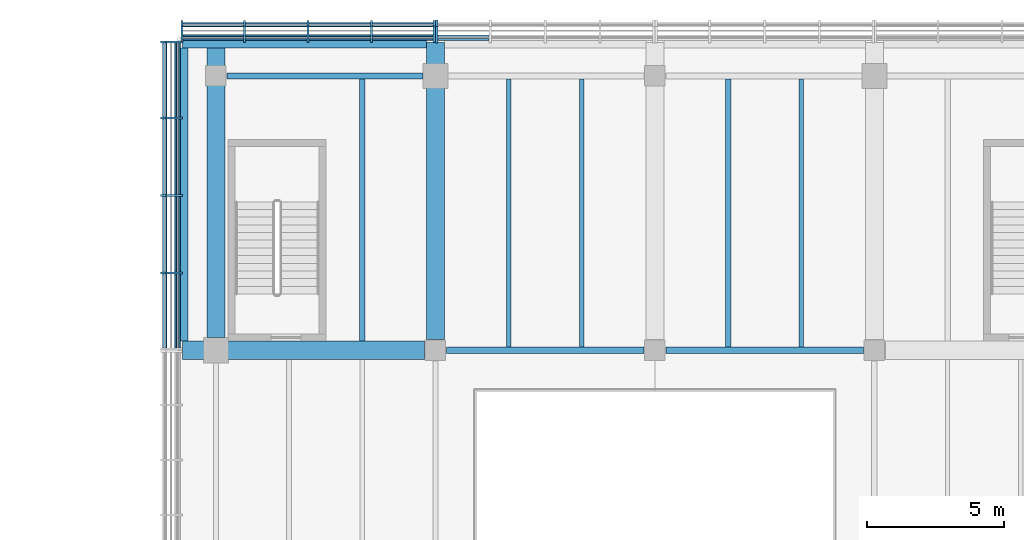
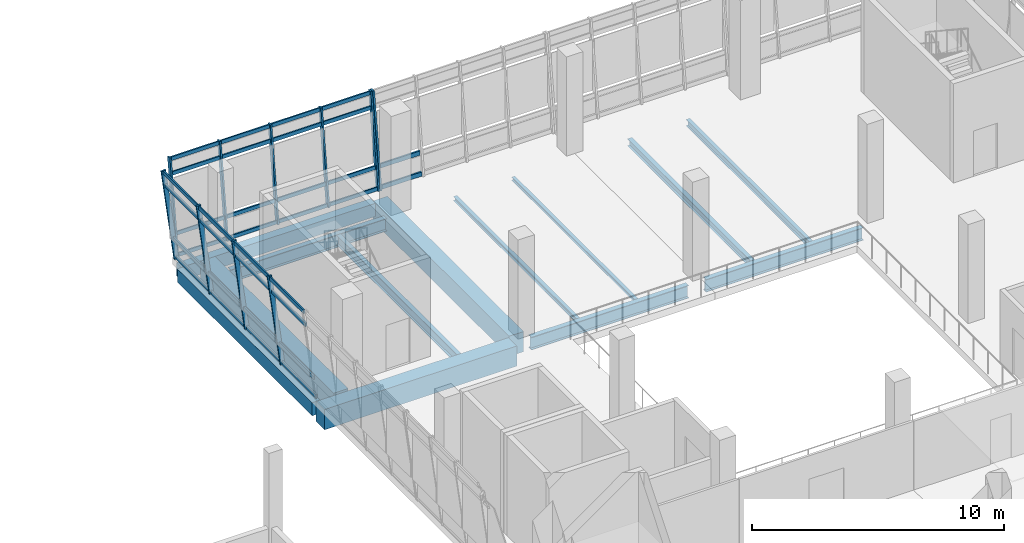
# One storey, part 14 of 52: 44 members, 13 beams, 3 elements without a shape of their own.
"""IFC4 building model written with IfcOpenShell, lengths in metres."""

from ifc_helpers import new_model, si_unit, direction, frame, origin, origin_2d, place, context, subcontext, project, spatial, rectangle, i_section, extrude, material, material_profile, profile_set, type_object, element, aggregate, save


model = new_model("IFC4")

# Units and contexts
model_context = context("Model", 3, precision=1e-05, world=origin(), true_north=direction((0.0, 1.0)))
body_context = subcontext(model_context, "Body", "Model", "MODEL_VIEW")
ifc_project = project(units=[si_unit("LENGTHUNIT", "METRE"), si_unit("AREAUNIT", "SQUARE_METRE"), si_unit("VOLUMEUNIT", "CUBIC_METRE"), si_unit("PLANEANGLEUNIT", "RADIAN"), si_unit("MASSUNIT", "GRAM", prefix="KILO")], contexts=[model_context])

# Site, building, storey
site_placement = place(None, origin())
site = spatial("IfcSite", under=ifc_project, at=site_placement, CompositionType="ELEMENT")
building_placement = place(site_placement, origin())
building = spatial("IfcBuilding", under=site, at=building_placement, Name="Pecanmere Concourse Central Library", CompositionType="ELEMENT")
storey_placement = place(building_placement, frame((0.0, 0.0, 10.5)))
storey = spatial("IfcBuildingStorey", under=building, at=storey_placement, Name="L03", CompositionType="ELEMENT", Elevation=10.5)

# Curtain wall, members
ifc_material_1 = material(Name="Anodized bronze aluminium alloy 6063-T6", Category="aluminium")
curtain_wall_type_1 = type_object("IfcCurtainWallType", Name="CW_LEAN_BANDED", PredefinedType="USERDEFINED", material=ifc_material_1)
curtain_wall_1_placement = place(storey_placement, origin())
curtain_wall_1 = element("IfcCurtainWall", 1, at=curtain_wall_1_placement, inside=storey, type_object=curtain_wall_type_1, Name="Unitised Curtain Wall CW-01 L03-025", ObjectType="UNITISED CURTAIN WALL", PredefinedType="USERDEFINED")
ifc_material_2 = material(Name="Anodized bronze aluminium alloy 6063-T6", Category="aluminium")
ifc_material_profile_1 = material_profile(ifc_material_2, rectangle(XDim=0.074951171875, YDim=0.199951171875, at=origin_2d()), Name="AL 75x200")
ifc_profile_set_1 = profile_set([ifc_material_profile_1], Name="Anodized bronze aluminium alloy 6063-T6")
member_type_1 = type_object("IfcMemberType", Name="CWM_200x75", PredefinedType="MULLION", material=ifc_profile_set_1)
member_1_placement = place(storey_placement, frame((79.95751953125, 125.321044921875, 0.0), z_axis=(0.0, 0.132234484848, 0.991218462811), x_axis=(-1.0, 0.0, 0.0)))
member_1 = element("IfcMember", 2, at=member_1_placement, type_object=member_type_1, Name="CW-01 Mullion 1", PredefinedType="MULLION", context=body_context, shape_type="SweptSolid", body=[
    extrude(rectangle(XDim=0.074951171875, YDim=0.199951171875, at=origin_2d()), origin(), (0.0, 0.0, 1.0), 4.519775390625),
])
member_2_placement = place(storey_placement, frame((77.676025390625, 125.321044921875, 0.0), z_axis=(0.0, 0.132234484848, 0.991218462811), x_axis=(-1.0, 0.0, 0.0)))
member_2 = element("IfcMember", 3, at=member_2_placement, type_object=member_type_1, Name="CW-01 Mullion 2", PredefinedType="MULLION", context=body_context, shape_type="SweptSolid", body=[
    extrude(rectangle(XDim=0.074951171875, YDim=0.199951171875, at=origin_2d()), origin(), (0.0, 0.0, 1.0), 4.519775390625),
])
member_3_placement = place(storey_placement, frame((75.35693359375, 125.321044921875, 0.0), z_axis=(0.0, 0.132234484848, 0.991218462811), x_axis=(-1.0, 0.0, 0.0)))
member_3 = element("IfcMember", 4, at=member_3_placement, type_object=member_type_1, Name="CW-01 Mullion 3", PredefinedType="MULLION", context=body_context, shape_type="SweptSolid", body=[
    extrude(rectangle(XDim=0.074951171875, YDim=0.199951171875, at=origin_2d()), origin(), (0.0, 0.0, 1.0), 4.519775390625),
])
member_4_placement = place(storey_placement, frame((73.0380859375, 125.321044921875, 0.0), z_axis=(0.0, 0.132234484848, 0.991218462811), x_axis=(-1.0, 0.0, 0.0)))
member_4 = element("IfcMember", 5, at=member_4_placement, type_object=member_type_1, Name="CW-01 Mullion 4", PredefinedType="MULLION", context=body_context, shape_type="SweptSolid", body=[
    extrude(rectangle(XDim=0.074951171875, YDim=0.199951171875, at=origin_2d()), origin(), (0.0, 0.0, 1.0), 4.519775390625),
])
member_5_placement = place(storey_placement, frame((70.756591796875, 125.321044921875, 0.0), z_axis=(0.0, 0.132234484848, 0.991218462811), x_axis=(-1.0, 0.0, 0.0)))
member_5 = element("IfcMember", 6, at=member_5_placement, type_object=member_type_1, Name="CW-01 Mullion 5", PredefinedType="MULLION", context=body_context, shape_type="SweptSolid", body=[
    extrude(rectangle(XDim=0.074951171875, YDim=0.199951171875, at=origin_2d()), origin(), (0.0, 0.0, 1.0), 4.519775390625),
])

curtain_wall_2_placement = place(storey_placement, origin())
curtain_wall_2 = element("IfcCurtainWall", 7, at=curtain_wall_2_placement, inside=storey, type_object=curtain_wall_type_1, Name="Unitised Curtain Wall CW-01 L03-034", ObjectType="UNITISED CURTAIN WALL", PredefinedType="USERDEFINED")
member_6_placement = place(storey_placement, frame((70.678955078125, 125.243408203125, 0.0), z_axis=(-0.132234484848, 0.0, 0.991218462811), x_axis=(0.0, -1.0, 0.0)))
member_6 = element("IfcMember", 8, at=member_6_placement, type_object=member_type_1, Name="CW-01 Mullion 1", PredefinedType="MULLION", context=body_context, shape_type="SweptSolid", body=[
    extrude(rectangle(XDim=0.074951171875, YDim=0.199951171875, at=origin_2d()), origin(), (0.0, 0.0, 1.0), 4.519775390625),
])
member_7_placement = place(storey_placement, frame((70.678955078125, 122.4619140625, 0.0), z_axis=(-0.132234484848, 0.0, 0.991218462811), x_axis=(0.0, -1.0, 0.0)))
member_7 = element("IfcMember", 9, at=member_7_placement, type_object=member_type_1, Name="CW-01 Mullion 2", PredefinedType="MULLION", context=body_context, shape_type="SweptSolid", body=[
    extrude(rectangle(XDim=0.074951171875, YDim=0.199951171875, at=origin_2d()), origin(), (0.0, 0.0, 1.0), 4.519775390625),
])
member_8_placement = place(storey_placement, frame((70.678955078125, 119.64306640625, 0.0), z_axis=(-0.132234484848, 0.0, 0.991218462811), x_axis=(0.0, -1.0, 0.0)))
member_8 = element("IfcMember", 10, at=member_8_placement, type_object=member_type_1, Name="CW-01 Mullion 3", PredefinedType="MULLION", context=body_context, shape_type="SweptSolid", body=[
    extrude(rectangle(XDim=0.074951171875, YDim=0.199951171875, at=origin_2d()), origin(), (0.0, 0.0, 1.0), 4.519775390625),
])
member_9_placement = place(storey_placement, frame((70.678955078125, 116.823974609375, 0.0), z_axis=(-0.132234484848, 0.0, 0.991218462811), x_axis=(0.0, -1.0, 0.0)))
member_9 = element("IfcMember", 11, at=member_9_placement, type_object=member_type_1, Name="CW-01 Mullion 4", PredefinedType="MULLION", context=body_context, shape_type="SweptSolid", body=[
    extrude(rectangle(XDim=0.074951171875, YDim=0.199951171875, at=origin_2d()), origin(), (0.0, 0.0, 1.0), 4.519775390625),
])

# Curtain wall, member
ifc_material_3 = material(Name="Anodized bronze aluminium alloy 6063-T6", Category="aluminium")
curtain_wall_type_2 = type_object("IfcCurtainWallType", Name="CW_PORTAL_CLEAR", PredefinedType="USERDEFINED", material=ifc_material_3)
curtain_wall_3_placement = place(storey_placement, origin())
curtain_wall_3 = element("IfcCurtainWall", 12, at=curtain_wall_3_placement, inside=storey, type_object=curtain_wall_type_2, Name="Unitised Curtain Wall CW-03 L03-024", ObjectType="UNITISED CURTAIN WALL", PredefinedType="USERDEFINED")
ifc_material_4 = material(Name="Anodized bronze aluminium alloy 6063-T6", Category="aluminium")
ifc_material_profile_2 = material_profile(ifc_material_4, rectangle(XDim=0.0849609375, YDim=0.239990234375, at=origin_2d()), Name="AL 85x240")
ifc_profile_set_2 = profile_set([ifc_material_profile_2], Name="Anodized bronze aluminium alloy 6063-T6")
member_type_2 = type_object("IfcMemberType", Name="CWM_240x85", PredefinedType="MULLION", material=ifc_profile_set_2)
member_10_placement = place(storey_placement, frame((80.047607421875, 125.321044921875, 0.0), z_axis=(0.0, 0.132234484848, 0.991218462811), x_axis=(-1.0, 0.0, 0.0)))
member_10 = element("IfcMember", 13, at=member_10_placement, type_object=member_type_2, Name="CW-03 Mullion 5", PredefinedType="MULLION", context=body_context, shape_type="SweptSolid", body=[
    extrude(rectangle(XDim=0.0849609375, YDim=0.239990234375, at=origin_2d()), origin(), (0.0, 0.0, 1.0), 4.519775390625),
])

# Member
ifc_material_5 = material(Name="Anodized bronze aluminium alloy 6063-T6", Category="aluminium")
ifc_material_profile_3 = material_profile(ifc_material_5, rectangle(XDim=0.06494140625, YDim=0.179931640625, at=origin_2d()), Name="AL 65x180")
ifc_profile_set_3 = profile_set([ifc_material_profile_3], Name="Anodized bronze aluminium alloy 6063-T6")
member_type_3 = type_object("IfcMemberType", Name="CWT_180x65", PredefinedType="USERDEFINED", material=ifc_profile_set_3)
member_11_placement = place(storey_placement, frame((79.919921875, 125.3330078125, 0.090087890625), z_axis=(-1.0, 0.0, 0.0), x_axis=(0.0, -1.0, 0.0)))
member_11 = element("IfcMember", 14, at=member_11_placement, type_object=member_type_3, Name="CW-01 Transom 1.1", ObjectType="TRANSOM", PredefinedType="USERDEFINED", context=body_context, shape_type="SweptSolid", body=[
    extrude(rectangle(XDim=0.06494140625, YDim=0.179931640625, at=origin_2d()), origin(), (0.0, 0.0, 1.0), 2.20654296875),
])

member_12_placement = place(storey_placement, frame((79.919921875, 125.461181640625, 1.050048828125), z_axis=(-1.0, 0.0, 0.0), x_axis=(0.0, -1.0, 0.0)))
member_12 = element("IfcMember", 15, at=member_12_placement, type_object=member_type_3, Name="CW-01 Transom 1.2", ObjectType="TRANSOM", PredefinedType="USERDEFINED", context=body_context, shape_type="SweptSolid", body=[
    extrude(rectangle(XDim=0.06494140625, YDim=0.179931640625, at=origin_2d()), origin(), (0.0, 0.0, 1.0), 2.20654296875),
])

member_13_placement = place(storey_placement, frame((79.919921875, 125.818603515625, 3.72998046875), z_axis=(-1.0, 0.0, 0.0), x_axis=(0.0, -1.0, 0.0)))
member_13 = element("IfcMember", 16, at=member_13_placement, type_object=member_type_3, Name="CW-01 Transom 1.3", ObjectType="TRANSOM", PredefinedType="USERDEFINED", context=body_context, shape_type="SweptSolid", body=[
    extrude(rectangle(XDim=0.06494140625, YDim=0.179931640625, at=origin_2d()), origin(), (0.0, 0.0, 1.0), 2.20654296875),
])

member_14_placement = place(storey_placement, frame((79.919921875, 125.90673828125, 4.389892578125), z_axis=(-1.0, 0.0, 0.0), x_axis=(0.0, -1.0, 0.0)))
member_14 = element("IfcMember", 17, at=member_14_placement, type_object=member_type_3, Name="CW-01 Transom 1.4", ObjectType="TRANSOM", PredefinedType="USERDEFINED", context=body_context, shape_type="SweptSolid", body=[
    extrude(rectangle(XDim=0.06494140625, YDim=0.179931640625, at=origin_2d()), origin(), (0.0, 0.0, 1.0), 2.20654296875),
])

member_15_placement = place(storey_placement, frame((77.638427734375, 125.3330078125, 0.090087890625), z_axis=(-1.0, 0.0, 0.0), x_axis=(0.0, -1.0, 0.0)))
member_15 = element("IfcMember", 18, at=member_15_placement, type_object=member_type_3, Name="CW-01 Transom 2.1", ObjectType="TRANSOM", PredefinedType="USERDEFINED", context=body_context, shape_type="SweptSolid", body=[
    extrude(rectangle(XDim=0.06494140625, YDim=0.179931640625, at=origin_2d()), origin(), (0.0, 0.0, 1.0), 2.243896484375),
])

member_16_placement = place(storey_placement, frame((77.638427734375, 125.461181640625, 1.050048828125), z_axis=(-1.0, 0.0, 0.0), x_axis=(0.0, -1.0, 0.0)))
member_16 = element("IfcMember", 19, at=member_16_placement, type_object=member_type_3, Name="CW-01 Transom 2.2", ObjectType="TRANSOM", PredefinedType="USERDEFINED", context=body_context, shape_type="SweptSolid", body=[
    extrude(rectangle(XDim=0.06494140625, YDim=0.179931640625, at=origin_2d()), origin(), (0.0, 0.0, 1.0), 2.243896484375),
])

member_17_placement = place(storey_placement, frame((77.638427734375, 125.818603515625, 3.72998046875), z_axis=(-1.0, 0.0, 0.0), x_axis=(0.0, -1.0, 0.0)))
member_17 = element("IfcMember", 20, at=member_17_placement, type_object=member_type_3, Name="CW-01 Transom 2.3", ObjectType="TRANSOM", PredefinedType="USERDEFINED", context=body_context, shape_type="SweptSolid", body=[
    extrude(rectangle(XDim=0.06494140625, YDim=0.179931640625, at=origin_2d()), origin(), (0.0, 0.0, 1.0), 2.243896484375),
])

member_18_placement = place(storey_placement, frame((77.638427734375, 125.90673828125, 4.389892578125), z_axis=(-1.0, 0.0, 0.0), x_axis=(0.0, -1.0, 0.0)))
member_18 = element("IfcMember", 21, at=member_18_placement, type_object=member_type_3, Name="CW-01 Transom 2.4", ObjectType="TRANSOM", PredefinedType="USERDEFINED", context=body_context, shape_type="SweptSolid", body=[
    extrude(rectangle(XDim=0.06494140625, YDim=0.179931640625, at=origin_2d()), origin(), (0.0, 0.0, 1.0), 2.243896484375),
])

member_19_placement = place(storey_placement, frame((75.319580078125, 125.3330078125, 0.090087890625), z_axis=(-1.0, 0.0, 0.0), x_axis=(0.0, -1.0, 0.0)))
member_19 = element("IfcMember", 22, at=member_19_placement, type_object=member_type_3, Name="CW-01 Transom 3.1", ObjectType="TRANSOM", PredefinedType="USERDEFINED", context=body_context, shape_type="SweptSolid", body=[
    extrude(rectangle(XDim=0.06494140625, YDim=0.179931640625, at=origin_2d()), origin(), (0.0, 0.0, 1.0), 2.244140625),
])

member_20_placement = place(storey_placement, frame((75.319580078125, 125.461181640625, 1.050048828125), z_axis=(-1.0, 0.0, 0.0), x_axis=(0.0, -1.0, 0.0)))
member_20 = element("IfcMember", 23, at=member_20_placement, type_object=member_type_3, Name="CW-01 Transom 3.2", ObjectType="TRANSOM", PredefinedType="USERDEFINED", context=body_context, shape_type="SweptSolid", body=[
    extrude(rectangle(XDim=0.06494140625, YDim=0.179931640625, at=origin_2d()), origin(), (0.0, 0.0, 1.0), 2.244140625),
])

member_21_placement = place(storey_placement, frame((75.319580078125, 125.818603515625, 3.72998046875), z_axis=(-1.0, 0.0, 0.0), x_axis=(0.0, -1.0, 0.0)))
member_21 = element("IfcMember", 24, at=member_21_placement, type_object=member_type_3, Name="CW-01 Transom 3.3", ObjectType="TRANSOM", PredefinedType="USERDEFINED", context=body_context, shape_type="SweptSolid", body=[
    extrude(rectangle(XDim=0.06494140625, YDim=0.179931640625, at=origin_2d()), origin(), (0.0, 0.0, 1.0), 2.244140625),
])

member_22_placement = place(storey_placement, frame((75.319580078125, 125.90673828125, 4.389892578125), z_axis=(-1.0, 0.0, 0.0), x_axis=(0.0, -1.0, 0.0)))
member_22 = element("IfcMember", 25, at=member_22_placement, type_object=member_type_3, Name="CW-01 Transom 3.4", ObjectType="TRANSOM", PredefinedType="USERDEFINED", context=body_context, shape_type="SweptSolid", body=[
    extrude(rectangle(XDim=0.06494140625, YDim=0.179931640625, at=origin_2d()), origin(), (0.0, 0.0, 1.0), 2.244140625),
])

member_23_placement = place(storey_placement, frame((73.00048828125, 125.3330078125, 0.090087890625), z_axis=(-1.0, 0.0, 0.0), x_axis=(0.0, -1.0, 0.0)))
member_23 = element("IfcMember", 26, at=member_23_placement, type_object=member_type_3, Name="CW-01 Transom 4.1", ObjectType="TRANSOM", PredefinedType="USERDEFINED", context=body_context, shape_type="SweptSolid", body=[
    extrude(rectangle(XDim=0.06494140625, YDim=0.179931640625, at=origin_2d()), origin(), (0.0, 0.0, 1.0), 2.20654296875),
])

member_24_placement = place(storey_placement, frame((73.00048828125, 125.461181640625, 1.050048828125), z_axis=(-1.0, 0.0, 0.0), x_axis=(0.0, -1.0, 0.0)))
member_24 = element("IfcMember", 27, at=member_24_placement, type_object=member_type_3, Name="CW-01 Transom 4.2", ObjectType="TRANSOM", PredefinedType="USERDEFINED", context=body_context, shape_type="SweptSolid", body=[
    extrude(rectangle(XDim=0.06494140625, YDim=0.179931640625, at=origin_2d()), origin(), (0.0, 0.0, 1.0), 2.20654296875),
])

member_25_placement = place(storey_placement, frame((73.00048828125, 125.818603515625, 3.72998046875), z_axis=(-1.0, 0.0, 0.0), x_axis=(0.0, -1.0, 0.0)))
member_25 = element("IfcMember", 28, at=member_25_placement, type_object=member_type_3, Name="CW-01 Transom 4.3", ObjectType="TRANSOM", PredefinedType="USERDEFINED", context=body_context, shape_type="SweptSolid", body=[
    extrude(rectangle(XDim=0.06494140625, YDim=0.179931640625, at=origin_2d()), origin(), (0.0, 0.0, 1.0), 2.20654296875),
])

member_26_placement = place(storey_placement, frame((73.00048828125, 125.90673828125, 4.389892578125), z_axis=(-1.0, 0.0, 0.0), x_axis=(0.0, -1.0, 0.0)))
member_26 = element("IfcMember", 29, at=member_26_placement, type_object=member_type_3, Name="CW-01 Transom 4.4", ObjectType="TRANSOM", PredefinedType="USERDEFINED", context=body_context, shape_type="SweptSolid", body=[
    extrude(rectangle(XDim=0.06494140625, YDim=0.179931640625, at=origin_2d()), origin(), (0.0, 0.0, 1.0), 2.20654296875),
])

aggregate(curtain_wall_1, [member_1, member_2, member_3, member_4, member_5, member_11, member_12, member_13, member_14, member_15, member_16, member_17, member_18, member_19, member_20, member_21, member_22, member_23, member_24, member_25, member_26])

member_27_placement = place(storey_placement, frame((70.6669921875, 125.2060546875, 0.090087890625), z_axis=(0.0, -1.0, 0.0), x_axis=(1.0, 0.0, 0.0)))
member_27 = element("IfcMember", 30, at=member_27_placement, type_object=member_type_3, Name="CW-01 Transom 1.1", ObjectType="TRANSOM", PredefinedType="USERDEFINED", context=body_context, shape_type="SweptSolid", body=[
    extrude(rectangle(XDim=0.06494140625, YDim=0.179931640625, at=origin_2d()), origin(), (0.0, 0.0, 1.0), 2.70654296875),
])

member_28_placement = place(storey_placement, frame((70.538818359375, 125.2060546875, 1.050048828125), z_axis=(0.0, -1.0, 0.0), x_axis=(1.0, 0.0, 0.0)))
member_28 = element("IfcMember", 31, at=member_28_placement, type_object=member_type_3, Name="CW-01 Transom 1.2", ObjectType="TRANSOM", PredefinedType="USERDEFINED", context=body_context, shape_type="SweptSolid", body=[
    extrude(rectangle(XDim=0.06494140625, YDim=0.179931640625, at=origin_2d()), origin(), (0.0, 0.0, 1.0), 2.70654296875),
])

member_29_placement = place(storey_placement, frame((70.181396484375, 125.2060546875, 3.72998046875), z_axis=(0.0, -1.0, 0.0), x_axis=(1.0, 0.0, 0.0)))
member_29 = element("IfcMember", 32, at=member_29_placement, type_object=member_type_3, Name="CW-01 Transom 1.3", ObjectType="TRANSOM", PredefinedType="USERDEFINED", context=body_context, shape_type="SweptSolid", body=[
    extrude(rectangle(XDim=0.06494140625, YDim=0.179931640625, at=origin_2d()), origin(), (0.0, 0.0, 1.0), 2.70654296875),
])

member_30_placement = place(storey_placement, frame((70.09326171875, 125.2060546875, 4.389892578125), z_axis=(0.0, -1.0, 0.0), x_axis=(1.0, 0.0, 0.0)))
member_30 = element("IfcMember", 33, at=member_30_placement, type_object=member_type_3, Name="CW-01 Transom 1.4", ObjectType="TRANSOM", PredefinedType="USERDEFINED", context=body_context, shape_type="SweptSolid", body=[
    extrude(rectangle(XDim=0.06494140625, YDim=0.179931640625, at=origin_2d()), origin(), (0.0, 0.0, 1.0), 2.70654296875),
])

member_31_placement = place(storey_placement, frame((70.6669921875, 122.424560546875, 0.090087890625), z_axis=(0.0, -1.0, 0.0), x_axis=(1.0, 0.0, 0.0)))
member_31 = element("IfcMember", 34, at=member_31_placement, type_object=member_type_3, Name="CW-01 Transom 2.1", ObjectType="TRANSOM", PredefinedType="USERDEFINED", context=body_context, shape_type="SweptSolid", body=[
    extrude(rectangle(XDim=0.06494140625, YDim=0.179931640625, at=origin_2d()), origin(), (0.0, 0.0, 1.0), 2.744140625),
])

member_32_placement = place(storey_placement, frame((70.538818359375, 122.424560546875, 1.050048828125), z_axis=(0.0, -1.0, 0.0), x_axis=(1.0, 0.0, 0.0)))
member_32 = element("IfcMember", 35, at=member_32_placement, type_object=member_type_3, Name="CW-01 Transom 2.2", ObjectType="TRANSOM", PredefinedType="USERDEFINED", context=body_context, shape_type="SweptSolid", body=[
    extrude(rectangle(XDim=0.06494140625, YDim=0.179931640625, at=origin_2d()), origin(), (0.0, 0.0, 1.0), 2.744140625),
])

member_33_placement = place(storey_placement, frame((70.181396484375, 122.424560546875, 3.72998046875), z_axis=(0.0, -1.0, 0.0), x_axis=(1.0, 0.0, 0.0)))
member_33 = element("IfcMember", 36, at=member_33_placement, type_object=member_type_3, Name="CW-01 Transom 2.3", ObjectType="TRANSOM", PredefinedType="USERDEFINED", context=body_context, shape_type="SweptSolid", body=[
    extrude(rectangle(XDim=0.06494140625, YDim=0.179931640625, at=origin_2d()), origin(), (0.0, 0.0, 1.0), 2.744140625),
])

member_34_placement = place(storey_placement, frame((70.09326171875, 122.424560546875, 4.389892578125), z_axis=(0.0, -1.0, 0.0), x_axis=(1.0, 0.0, 0.0)))
member_34 = element("IfcMember", 37, at=member_34_placement, type_object=member_type_3, Name="CW-01 Transom 2.4", ObjectType="TRANSOM", PredefinedType="USERDEFINED", context=body_context, shape_type="SweptSolid", body=[
    extrude(rectangle(XDim=0.06494140625, YDim=0.179931640625, at=origin_2d()), origin(), (0.0, 0.0, 1.0), 2.744140625),
])

member_35_placement = place(storey_placement, frame((70.6669921875, 119.60546875, 0.090087890625), z_axis=(0.0, -1.0, 0.0), x_axis=(1.0, 0.0, 0.0)))
member_35 = element("IfcMember", 38, at=member_35_placement, type_object=member_type_3, Name="CW-01 Transom 3.1", ObjectType="TRANSOM", PredefinedType="USERDEFINED", context=body_context, shape_type="SweptSolid", body=[
    extrude(rectangle(XDim=0.06494140625, YDim=0.179931640625, at=origin_2d()), origin(), (0.0, 0.0, 1.0), 2.743896484375),
])

member_36_placement = place(storey_placement, frame((70.538818359375, 119.60546875, 1.050048828125), z_axis=(0.0, -1.0, 0.0), x_axis=(1.0, 0.0, 0.0)))
member_36 = element("IfcMember", 39, at=member_36_placement, type_object=member_type_3, Name="CW-01 Transom 3.2", ObjectType="TRANSOM", PredefinedType="USERDEFINED", context=body_context, shape_type="SweptSolid", body=[
    extrude(rectangle(XDim=0.06494140625, YDim=0.179931640625, at=origin_2d()), origin(), (0.0, 0.0, 1.0), 2.743896484375),
])

member_37_placement = place(storey_placement, frame((70.181396484375, 119.60546875, 3.72998046875), z_axis=(0.0, -1.0, 0.0), x_axis=(1.0, 0.0, 0.0)))
member_37 = element("IfcMember", 40, at=member_37_placement, type_object=member_type_3, Name="CW-01 Transom 3.3", ObjectType="TRANSOM", PredefinedType="USERDEFINED", context=body_context, shape_type="SweptSolid", body=[
    extrude(rectangle(XDim=0.06494140625, YDim=0.179931640625, at=origin_2d()), origin(), (0.0, 0.0, 1.0), 2.743896484375),
])

member_38_placement = place(storey_placement, frame((70.09326171875, 119.60546875, 4.389892578125), z_axis=(0.0, -1.0, 0.0), x_axis=(1.0, 0.0, 0.0)))
member_38 = element("IfcMember", 41, at=member_38_placement, type_object=member_type_3, Name="CW-01 Transom 3.4", ObjectType="TRANSOM", PredefinedType="USERDEFINED", context=body_context, shape_type="SweptSolid", body=[
    extrude(rectangle(XDim=0.06494140625, YDim=0.179931640625, at=origin_2d()), origin(), (0.0, 0.0, 1.0), 2.743896484375),
])

member_39_placement = place(storey_placement, frame((70.6669921875, 116.78662109375, 0.090087890625), z_axis=(0.0, -1.0, 0.0), x_axis=(1.0, 0.0, 0.0)))
member_39 = element("IfcMember", 42, at=member_39_placement, type_object=member_type_3, Name="CW-01 Transom 4.1", ObjectType="TRANSOM", PredefinedType="USERDEFINED", context=body_context, shape_type="SweptSolid", body=[
    extrude(rectangle(XDim=0.06494140625, YDim=0.179931640625, at=origin_2d()), origin(), (0.0, 0.0, 1.0), 2.70654296875),
])

member_40_placement = place(storey_placement, frame((70.538818359375, 116.78662109375, 1.050048828125), z_axis=(0.0, -1.0, 0.0), x_axis=(1.0, 0.0, 0.0)))
member_40 = element("IfcMember", 43, at=member_40_placement, type_object=member_type_3, Name="CW-01 Transom 4.2", ObjectType="TRANSOM", PredefinedType="USERDEFINED", context=body_context, shape_type="SweptSolid", body=[
    extrude(rectangle(XDim=0.06494140625, YDim=0.179931640625, at=origin_2d()), origin(), (0.0, 0.0, 1.0), 2.70654296875),
])

member_41_placement = place(storey_placement, frame((70.181396484375, 116.78662109375, 3.72998046875), z_axis=(0.0, -1.0, 0.0), x_axis=(1.0, 0.0, 0.0)))
member_41 = element("IfcMember", 44, at=member_41_placement, type_object=member_type_3, Name="CW-01 Transom 4.3", ObjectType="TRANSOM", PredefinedType="USERDEFINED", context=body_context, shape_type="SweptSolid", body=[
    extrude(rectangle(XDim=0.06494140625, YDim=0.179931640625, at=origin_2d()), origin(), (0.0, 0.0, 1.0), 2.70654296875),
])

member_42_placement = place(storey_placement, frame((70.09326171875, 116.78662109375, 4.389892578125), z_axis=(0.0, -1.0, 0.0), x_axis=(1.0, 0.0, 0.0)))
member_42 = element("IfcMember", 45, at=member_42_placement, type_object=member_type_3, Name="CW-01 Transom 4.4", ObjectType="TRANSOM", PredefinedType="USERDEFINED", context=body_context, shape_type="SweptSolid", body=[
    extrude(rectangle(XDim=0.06494140625, YDim=0.179931640625, at=origin_2d()), origin(), (0.0, 0.0, 1.0), 2.70654296875),
])

aggregate(curtain_wall_2, [member_6, member_7, member_8, member_9, member_27, member_28, member_29, member_30, member_31, member_32, member_33, member_34, member_35, member_36, member_37, member_38, member_39, member_40, member_41, member_42])

ifc_material_6 = material(Name="Anodized bronze aluminium alloy 6063-T6", Category="aluminium")
ifc_material_profile_4 = material_profile(ifc_material_6, rectangle(XDim=0.074951171875, YDim=0.2099609375, at=origin_2d()), Name="AL 75x210")
ifc_profile_set_4 = profile_set([ifc_material_profile_4], Name="Anodized bronze aluminium alloy 6063-T6")
member_type_4 = type_object("IfcMemberType", Name="CWT_210x75", PredefinedType="USERDEFINED", material=ifc_profile_set_4)
member_43_placement = place(storey_placement, frame((81.9599609375, 125.3349609375, 0.10498046875), z_axis=(-1.0, 0.0, 0.0), x_axis=(0.0, -1.0, 0.0)))
member_43 = element("IfcMember", 46, at=member_43_placement, type_object=member_type_4, Name="CW-03 Transom 4.1", ObjectType="TRANSOM", PredefinedType="USERDEFINED", context=body_context, shape_type="SweptSolid", body=[
    extrude(rectangle(XDim=0.074951171875, YDim=0.2099609375, at=origin_2d()), origin(), (0.0, 0.0, 1.0), 1.869873046875),
])

member_44_placement = place(storey_placement, frame((81.9599609375, 125.461181640625, 1.050048828125), z_axis=(-1.0, 0.0, 0.0), x_axis=(0.0, -1.0, 0.0)))
member_44 = element("IfcMember", 47, at=member_44_placement, type_object=member_type_4, Name="CW-03 Transom 4.2", ObjectType="TRANSOM", PredefinedType="USERDEFINED", context=body_context, shape_type="SweptSolid", body=[
    extrude(rectangle(XDim=0.074951171875, YDim=0.2099609375, at=origin_2d()), origin(), (0.0, 0.0, 1.0), 1.869873046875),
])

aggregate(curtain_wall_3, [member_10, member_43, member_44])

# Beams
ifc_material_7 = material(Name="Concrete C40/50", Category="concrete")
ifc_material_profile_5 = material_profile(ifc_material_7, rectangle(XDim=0.659912109375, YDim=0.97998046875, at=origin_2d()), Name="RC 660x980")
ifc_profile_set_5 = profile_set([ifc_material_profile_5], Name="Concrete C40/50")
beam_type_1 = type_object("IfcBeamType", Name="GRD_660x980", PredefinedType="USERDEFINED", material=ifc_profile_set_5)
beam_1_placement = place(storey_placement, frame((70.7890625, 114.0, -0.830078125), z_axis=(1.0, 0.0, 0.0), x_axis=(0.0, 1.0, 0.0)))
element("IfcBeam", 48, at=beam_1_placement, inside=storey, type_object=beam_type_1, Name="Primary Girder X L03-1650", ObjectType="GIRDER", PredefinedType="USERDEFINED", context=body_context, shape_type="SweptSolid", body=[
    extrude(rectangle(XDim=0.659912109375, YDim=0.97998046875, at=origin_2d()), origin(), (0.0, 0.0, 1.0), 8.81103515625),
])
beam_2_placement = place(storey_placement, frame((72.0, 114.4599609375, -0.830078125), z_axis=(0.0, 1.0, 0.0), x_axis=(-1.0, 0.0, 0.0)))
element("IfcBeam", 49, at=beam_2_placement, inside=storey, type_object=beam_type_1, Name="Primary Girder Y L03-1731", ObjectType="GIRDER", PredefinedType="USERDEFINED", context=body_context, shape_type="SweptSolid", body=[
    extrude(rectangle(XDim=0.659912109375, YDim=0.97998046875, at=origin_2d()), origin(), (0.0, 0.0, 1.0), 10.56103515625),
])
beam_3_placement = place(storey_placement, frame((80.0, 114.39990234375, -0.830078125), z_axis=(0.0, 1.0, 0.0), x_axis=(-1.0, 0.0, 0.0)))
element("IfcBeam", 50, at=beam_3_placement, inside=storey, type_object=beam_type_1, Name="Primary Girder Y L03-1740", ObjectType="GIRDER", PredefinedType="USERDEFINED", context=body_context, shape_type="SweptSolid", body=[
    extrude(rectangle(XDim=0.659912109375, YDim=0.97998046875, at=origin_2d()), origin(), (0.0, 0.0, 1.0), 10.81103515625),
])
ifc_material_8 = material(Name="Structural steel ASTM A992 Grade 50", Category="steel")
ifc_material_profile_6 = material_profile(ifc_material_8, i_section(OverallWidth=0.152099609375, OverallDepth=0.152099609375, WebThickness=0.005859375, FlangeThickness=0.006591796875, at=origin_2d()), Name="W150x22.5")
ifc_profile_set_6 = profile_set([ifc_material_profile_6], Name="Structural steel ASTM A992 Grade 50")
beam_type_2 = type_object("IfcBeamType", Name="SBM_W150x22", PredefinedType="LINTEL", material=ifc_profile_set_6)
beam_4_placement = place(storey_placement, frame((85.333251953125, 114.114990234375, -0.416015625), z_axis=(0.0, 1.0, 0.0), x_axis=(-1.0, 0.0, 0.0)))
element("IfcBeam", 51, at=beam_4_placement, inside=storey, type_object=beam_type_2, Name="Secondary Floor Joist L03-1963", PredefinedType="LINTEL", context=body_context, shape_type="SweptSolid", body=[
    extrude(i_section(OverallWidth=0.152099609375, OverallDepth=0.152099609375, WebThickness=0.005859375, FlangeThickness=0.006591796875, at=origin_2d()), origin(), (0.0, 0.0, 1.0), 9.77001953125),
])
ifc_material_9 = material(Name="Structural steel ASTM A992 Grade 50", Category="steel")
ifc_material_profile_7 = material_profile(ifc_material_9, i_section(OverallWidth=0.1650390625, OverallDepth=0.200927734375, WebThickness=0.006103515625, FlangeThickness=0.01025390625, at=origin_2d()), Name="W200x35.9")
ifc_profile_set_7 = profile_set([ifc_material_profile_7], Name="Structural steel ASTM A992 Grade 50")
beam_type_3 = type_object("IfcBeamType", Name="SBM_W200x36", PredefinedType="LINTEL", material=ifc_profile_set_7)
beam_5_placement = place(storey_placement, frame((82.666748046875, 114.114990234375, -0.4404296875), z_axis=(0.0, 1.0, 0.0), x_axis=(-1.0, 0.0, 0.0)))
element("IfcBeam", 52, at=beam_5_placement, inside=storey, type_object=beam_type_3, Name="Secondary Floor Joist L03-1962", PredefinedType="LINTEL", context=body_context, shape_type="SweptSolid", body=[
    extrude(i_section(OverallWidth=0.1650390625, OverallDepth=0.200927734375, WebThickness=0.006103515625, FlangeThickness=0.01025390625, at=origin_2d()), origin(), (0.0, 0.0, 1.0), 9.77001953125),
])
ifc_material_10 = material(Name="Structural steel ASTM A992 Grade 50", Category="steel")
ifc_material_profile_8 = material_profile(ifc_material_10, i_section(OverallWidth=0.1669921875, OverallDepth=0.31689453125, WebThickness=0.007568359375, FlangeThickness=0.01318359375, at=origin_2d()), Name="W310x52")
ifc_profile_set_8 = profile_set([ifc_material_profile_8], Name="Structural steel ASTM A992 Grade 50")
beam_type_4 = type_object("IfcBeamType", Name="SBM_W310x52", PredefinedType="JOIST", material=ifc_profile_set_8)
beam_6_placement = place(storey_placement, frame((93.333251953125, 114.114990234375, -0.49853515625), z_axis=(0.0, 1.0, 0.0), x_axis=(-1.0, 0.0, 0.0)))
element("IfcBeam", 53, at=beam_6_placement, inside=storey, type_object=beam_type_4, Name="Secondary Floor Joist L03-1977", PredefinedType="JOIST", context=body_context, shape_type="SweptSolid", body=[
    extrude(i_section(OverallWidth=0.1669921875, OverallDepth=0.31689453125, WebThickness=0.007568359375, FlangeThickness=0.01318359375, at=origin_2d()), origin(), (0.0, 0.0, 1.0), 9.77001953125),
])
ifc_material_11 = material(Name="Structural steel ASTM A992 Grade 50", Category="steel")
ifc_material_profile_9 = material_profile(ifc_material_11, i_section(OverallWidth=0.202880859375, OverallDepth=0.346923828125, WebThickness=0.0078125, FlangeThickness=0.013427734375, at=origin_2d()), Name="W360x64")
ifc_profile_set_9 = profile_set([ifc_material_profile_9], Name="Structural steel ASTM A992 Grade 50")
beam_type_5 = type_object("IfcBeamType", Name="SBM_W360x64", PredefinedType="JOIST", material=ifc_profile_set_9)
beam_7_placement = place(storey_placement, frame((90.666748046875, 114.114990234375, -0.513427734375), z_axis=(0.0, 1.0, 0.0), x_axis=(-1.0, 0.0, 0.0)))
element("IfcBeam", 54, at=beam_7_placement, inside=storey, type_object=beam_type_5, Name="Secondary Floor Joist L03-1976", PredefinedType="JOIST", context=body_context, shape_type="SweptSolid", body=[
    extrude(i_section(OverallWidth=0.202880859375, OverallDepth=0.346923828125, WebThickness=0.0078125, FlangeThickness=0.013427734375, at=origin_2d()), origin(), (0.0, 0.0, 1.0), 9.77001953125),
])
ifc_material_12 = material(Name="Structural steel ASTM A992 Grade 50", Category="steel")
ifc_material_profile_10 = material_profile(ifc_material_12, i_section(OverallWidth=0.194091796875, OverallDepth=0.468994140625, WebThickness=0.0126953125, FlangeThickness=0.0205078125, at=origin_2d()), Name="W460x106")
ifc_profile_set_10 = profile_set([ifc_material_profile_10], Name="Structural steel ASTM A992 Grade 50")
beam_type_6 = type_object("IfcBeamType", Name="SBM_W460x106", PredefinedType="USERDEFINED", material=ifc_profile_set_10)
beam_8_placement = place(storey_placement, frame((77.333251953125, 114.330078125, -0.574462890625), z_axis=(0.0, 1.0, 0.0), x_axis=(-1.0, 0.0, 0.0)))
element("IfcBeam", 55, at=beam_8_placement, inside=storey, type_object=beam_type_6, Name="Secondary Floor Joist L03-1949", ObjectType="GIRDER", PredefinedType="USERDEFINED", context=body_context, shape_type="SweptSolid", body=[
    extrude(i_section(OverallWidth=0.194091796875, OverallDepth=0.468994140625, WebThickness=0.0126953125, FlangeThickness=0.0205078125, at=origin_2d()), origin(), (0.0, 0.0, 1.0), 9.554931640625),
])
ifc_material_13 = material(Name="Structural steel ASTM A992 Grade 50", Category="steel")
ifc_material_profile_11 = material_profile(ifc_material_13, i_section(OverallWidth=0.22998046875, OverallDepth=0.616943359375, WebThickness=0.01318359375, FlangeThickness=0.022216796875, at=origin_2d()), Name="W610x140")
ifc_profile_set_11 = profile_set([ifc_material_profile_11], Name="Structural steel ASTM A992 Grade 50")
beam_type_7 = type_object("IfcBeamType", Name="SBM_W610x140", PredefinedType="USERDEFINED", material=ifc_profile_set_11)
for number, where, z_axis, x_axis, name in (
    (56, (80.39990234375, 114.0, -0.6484375), (1.0, 0.0, 0.0), (0.0, 1.0, 0.0), "Primary Girder X L03-1651"),
    (57, (88.39990234375, 114.0, -0.6484375), (1.0, 0.0, 0.0), (0.0, 1.0, 0.0), "Primary Girder X L03-1652"),
):
    element("IfcBeam", number, at=place(storey_placement, frame(where, z_axis=z_axis, x_axis=x_axis)), inside=storey, type_object=beam_type_7, Name=name, ObjectType="GIRDER", PredefinedType="USERDEFINED", context=body_context, shape_type="SweptSolid", body=[
        extrude(i_section(OverallWidth=0.22998046875, OverallDepth=0.616943359375, WebThickness=0.01318359375, FlangeThickness=0.022216796875, at=origin_2d()), origin(), (0.0, 0.0, 1.0), 7.2001953125),
    ])
beam_9_placement = place(storey_placement, frame((72.39990234375, 124.0, -0.6484375), z_axis=(1.0, 0.0, 0.0), x_axis=(0.0, 1.0, 0.0)))
element("IfcBeam", 58, at=beam_9_placement, inside=storey, type_object=beam_type_7, Name="Primary Girder X L03-1654", ObjectType="GIRDER", PredefinedType="USERDEFINED", context=body_context, shape_type="SweptSolid", body=[
    extrude(i_section(OverallWidth=0.22998046875, OverallDepth=0.616943359375, WebThickness=0.01318359375, FlangeThickness=0.022216796875, at=origin_2d()), origin(), (0.0, 0.0, 1.0), 7.14013671875),
])
ifc_material_14 = material(Name="Concrete C40/50", Category="concrete")
ifc_material_profile_12 = material_profile(ifc_material_14, rectangle(XDim=0.3798828125, YDim=0.639892578125, at=origin_2d()), Name="RC 380x640")
ifc_profile_set_12 = profile_set([ifc_material_profile_12], Name="Concrete C40/50")
beam_type_8 = type_object("IfcBeamType", Name="SPB_380x640", PredefinedType="BEAM", material=ifc_profile_set_12)
beam_10_placement = place(storey_placement, frame((70.7890625, 125.2109375, -0.659912109375), z_axis=(1.0, 0.0, 0.0), x_axis=(0.0, 1.0, 0.0)))
element("IfcBeam", 59, at=beam_10_placement, inside=storey, type_object=beam_type_8, Name="Leaning Facade Edge Beam L03-1839", PredefinedType="BEAM", context=body_context, shape_type="SweptSolid", body=[
    extrude(rectangle(XDim=0.3798828125, YDim=0.639892578125, at=origin_2d()), origin(), (0.0, 0.0, 1.0), 8.880859375),
])
beam_11_placement = place(storey_placement, frame((70.7890625, 114.330078125, -0.659912109375), z_axis=(0.0, 1.0, 0.0), x_axis=(-1.0, 0.0, 0.0)))
element("IfcBeam", 60, at=beam_11_placement, inside=storey, type_object=beam_type_8, Name="Leaning Facade Edge Beam L03-1843", PredefinedType="BEAM", context=body_context, shape_type="SweptSolid", body=[
    extrude(rectangle(XDim=0.3798828125, YDim=0.639892578125, at=origin_2d()), origin(), (0.0, 0.0, 1.0), 10.69091796875),
])

save(model, "model.ifc")
